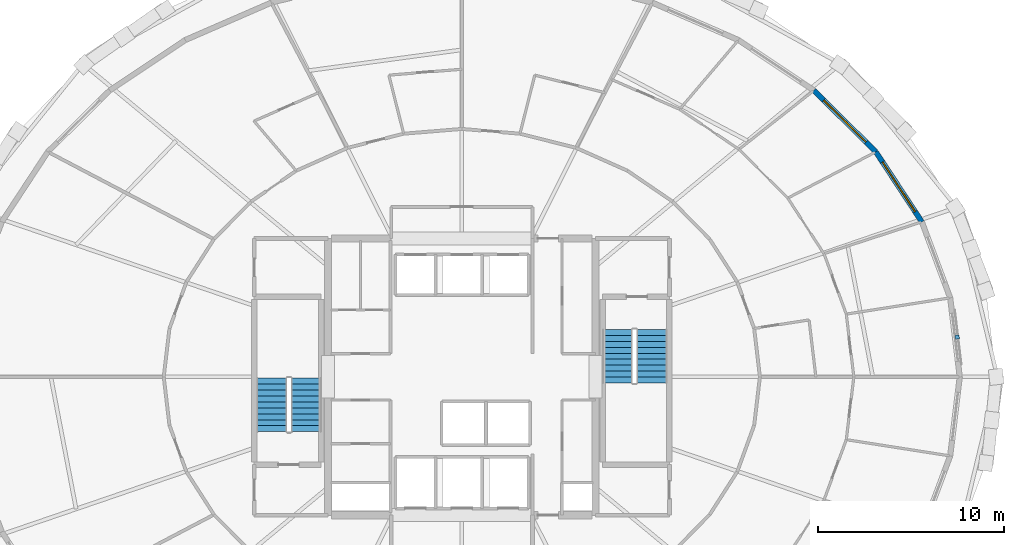
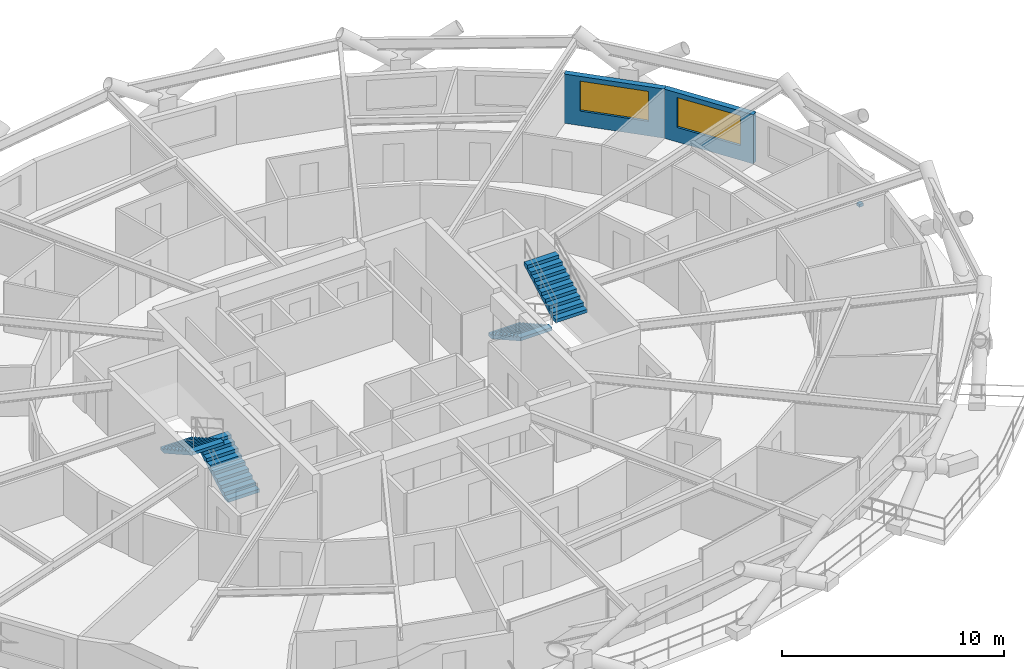
# One storey, part 12 of 14: 4 stair flights, 2 walls, 2 windows, 1 discrete accessory, 2 openings, 2 elements without a shape of their own.
"""IFC4 building model written with IfcOpenShell, lengths in metres."""

from ifc_helpers import new_model, si_unit, direction, frame, frame_2d, origin, origin_2d, place, context, subcontext, project, spatial, polyline, rectangle, outline, extrude, material, layer, layer_set, type_object, element, fill, aggregate, save


model = new_model("IFC4")

# Units and contexts
model_context = context("Model", 3, precision=1e-05, world=origin(), true_north=direction((0.0, 1.0)))
body_context = subcontext(model_context, "Body", "Model", "MODEL_VIEW")
ifc_project = project(units=[si_unit("LENGTHUNIT", "METRE"), si_unit("AREAUNIT", "SQUARE_METRE"), si_unit("VOLUMEUNIT", "CUBIC_METRE"), si_unit("PLANEANGLEUNIT", "RADIAN"), si_unit("MASSUNIT", "GRAM", prefix="KILO")], contexts=[model_context])

# Site, building, storey
site_placement = place(None, origin())
site = spatial("IfcSite", under=ifc_project, at=site_placement, CompositionType="ELEMENT")
building_placement = place(site_placement, origin())
building = spatial("IfcBuilding", under=site, at=building_placement, Name="Veldorina Hangang Commons", CompositionType="ELEMENT")
storey_placement = place(building_placement, frame((0.0, 0.0, 62.800048828125)))
storey = spatial("IfcBuildingStorey", under=building, at=storey_placement, Name="L15", CompositionType="ELEMENT", Elevation=62.800048828125)

# Wall, opening, window
ifc_material_1 = material(Name="Stone Roman Travertine", Category="masonry")
ifc_layer = layer(ifc_material_1, 0.280029296875)
ifc_layer_set = layer_set([ifc_layer], Name="Stone Roman Travertine")
wall_type = type_object("IfcWallType", Name="EW-TRAV-280", PredefinedType="STANDARD", material=ifc_layer_set)
wall_1_placement = place(storey_placement, frame((56.769287109375, 32.346435546875, 0.0), z_axis=(0.0, 0.0, 1.0), x_axis=(-0.54914333256, 0.835728185659, 0.0)))
wall_1 = element("IfcWall", 1, at=wall_1_placement, inside=storey, type_object=wall_type, Name="L15 travertine facade wall 02", PredefinedType="STANDARD", context=body_context, shape_type="SweptSolid", body=[
    extrude(rectangle(XDim=4.51171875, YDim=0.280029296875, at=frame_2d((2.255859375, 0.0))), origin(), (0.0, 0.0, 1.0), 2.7099609375),
])
opening_1_placement = place(wall_1_placement, frame((0.65576171875, 0.0, 0.800048828125)))
opening_1 = element("IfcOpeningElement", 2, at=opening_1_placement, cuts=wall_1, Name="Opening W-01", PredefinedType="OPENING", context=body_context, shape_type="SweptSolid", body=[
    extrude(rectangle(XDim=3.199951171875, YDim=1.64990234375, at=frame_2d((1.60009765625, 0.824951171875))), frame((0.0, 0.14990234375, 0.0), z_axis=(0.0, -1.0, 0.0), x_axis=(1.0, 0.0, 0.0)), (0.0, 0.0, 1.0), 0.300048828125),
])
ifc_material_2 = material(Name="Glass Low-E Triple IGU", Category="glass")
window_type = type_object("IfcWindowType", Name="WIN-TWR-3200", PartitioningType="SINGLE_PANEL", PredefinedType="WINDOW", material=ifc_material_2)
window_1_placement = place(opening_1_placement, origin())
window_1 = element("IfcWindow", 3, at=window_1_placement, inside=storey, type_object=window_type, Name="L15 facade window 02", OverallHeight=1.64990234375, OverallWidth=3.199951171875, PartitioningType="SINGLE_PANEL", PredefinedType="WINDOW", context=body_context, shape_type="SweptSolid", body=[
    extrude(rectangle(XDim=3.199951171875, YDim=1.64990234375, at=frame_2d((1.60009765625, 0.824951171875))), frame((0.0, 0.030029296875, 0.0), z_axis=(0.0, -1.0, 0.0), x_axis=(1.0, 0.0, 0.0)), (0.0, 0.0, 1.0), 0.06005859375),
])
fill(opening_1, window_1)

wall_2_placement = place(storey_placement, frame((54.291748046875, 36.116943359375, 0.0), z_axis=(0.0, 0.0, 1.0), x_axis=(-0.710194142887, 0.704005880238, 0.0)))
wall_2 = element("IfcWall", 4, at=wall_2_placement, inside=storey, type_object=wall_type, Name="L15 travertine facade wall 03", PredefinedType="STANDARD", context=body_context, shape_type="SweptSolid", body=[
    extrude(rectangle(XDim=4.69482421875, YDim=0.280029296875, at=frame_2d((2.347412109375, 0.0))), origin(), (0.0, 0.0, 1.0), 2.7099609375),
])
opening_2_placement = place(wall_2_placement, frame((0.747314453125, 0.0, 0.800048828125)))
opening_2 = element("IfcOpeningElement", 5, at=opening_2_placement, cuts=wall_2, Name="Opening W-01", PredefinedType="OPENING", context=body_context, shape_type="SweptSolid", body=[
    extrude(rectangle(XDim=3.199951171875, YDim=1.64990234375, at=frame_2d((1.60009765625, 0.824951171875))), frame((0.0, 0.14990234375, 0.0), z_axis=(0.0, -1.0, 0.0), x_axis=(1.0, 0.0, 0.0)), (0.0, 0.0, 1.0), 0.300048828125),
])
window_2_placement = place(opening_2_placement, origin())
window_2 = element("IfcWindow", 6, at=window_2_placement, inside=storey, type_object=window_type, Name="L15 facade window 03", OverallHeight=1.64990234375, OverallWidth=3.199951171875, PartitioningType="SINGLE_PANEL", PredefinedType="WINDOW", context=body_context, shape_type="SweptSolid", body=[
    extrude(rectangle(XDim=3.199951171875, YDim=1.64990234375, at=frame_2d((1.60009765625, 0.824951171875))), frame((0.0, 0.030029296875, 0.0), z_axis=(0.0, -1.0, 0.0), x_axis=(1.0, 0.0, 0.0)), (0.0, 0.0, 1.0), 0.06005859375),
])
fill(opening_2, window_2)

# Stair, stair flights
ifc_material_3 = material(Name="Concrete C40/50", Category="concrete")
stair_type = type_object("IfcStairType", Name="STR-DOG-1650-20R", PredefinedType="HALF_TURN_STAIR", material=ifc_material_3)
stair_1_placement = place(storey_placement, origin())
stair_1 = element("IfcStair", 7, at=stair_1_placement, inside=storey, type_object=stair_type, Name="L15 Exit stair ST-1", PredefinedType="HALF_TURN_STAIR")
stair_flight_type = type_object("IfcStairFlightType", Name="SFL-STR-1650-20R", PredefinedType="STRAIGHT", material=ifc_material_3)
stair_flight_1_placement = place(storey_placement, frame((23.625, 21.050048828125, 0.0), z_axis=(0.0, 0.0, 1.0), x_axis=(0.0, 1.0, 0.0)))
stair_flight_1 = element("IfcStairFlight", 8, at=stair_flight_1_placement, type_object=stair_flight_type, Name="ST-1 flight 1", NumberOfRisers=10, NumberOfTreads=9, PredefinedType="STRAIGHT", RiserHeight=0.18, TreadLength=0.32, context=body_context, shape_type="SweptSolid", body=[
    extrude(outline(polyline([(0.0, 0.0), (0.0, 0.179931640625), (0.320068359375, 0.179931640625), (0.320068359375, 0.360107421875), (0.639892578125, 0.360107421875), (0.639892578125, 0.5400390625), (0.9599609375, 0.5400390625), (0.9599609375, 0.719970703125), (1.280029296875, 0.719970703125), (1.280029296875, 0.89990234375), (1.60009765625, 0.89990234375), (1.60009765625, 1.080078125), (1.919921875, 1.080078125), (1.919921875, 1.260009765625), (2.239990234375, 1.260009765625), (2.239990234375, 1.43994140625), (2.56005859375, 1.43994140625), (2.56005859375, 1.6201171875), (2.8798828125, 1.6201171875), (2.8798828125, 1.800048828125), (2.8798828125, 1.447998046875), (0.3056640625, 0.0), (0.0, 0.0)])), frame((0.0, 0.824951171875, 0.0), z_axis=(0.0, -1.0, 0.0), x_axis=(1.0, 0.0, 0.0)), (0.0, 0.0, 1.0), 1.64990234375),
])
stair_flight_2_placement = place(storey_placement, frame((21.77490234375, 23.929931640625, 1.800048828125), z_axis=(0.0, 0.0, 1.0), x_axis=(0.0, -1.0, 0.0)))
stair_flight_2 = element("IfcStairFlight", 9, at=stair_flight_2_placement, type_object=stair_flight_type, Name="ST-1 flight 2", NumberOfRisers=10, NumberOfTreads=9, PredefinedType="STRAIGHT", RiserHeight=0.18, TreadLength=0.32, context=body_context, shape_type="SweptSolid", body=[
    extrude(outline(polyline([(0.0, 0.0), (0.0, 0.179931640625), (0.320068359375, 0.179931640625), (0.320068359375, 0.360107421875), (0.639892578125, 0.360107421875), (0.639892578125, 0.5400390625), (0.9599609375, 0.5400390625), (0.9599609375, 0.719970703125), (1.280029296875, 0.719970703125), (1.280029296875, 0.89990234375), (1.60009765625, 0.89990234375), (1.60009765625, 1.080078125), (1.919921875, 1.080078125), (1.919921875, 1.260009765625), (2.239990234375, 1.260009765625), (2.239990234375, 1.43994140625), (2.56005859375, 1.43994140625), (2.56005859375, 1.6201171875), (2.8798828125, 1.6201171875), (2.8798828125, 1.800048828125), (2.8798828125, 1.447998046875), (0.3056640625, 0.0), (0.0, 0.0)])), frame((0.0, 0.824951171875, 0.0), z_axis=(0.0, -1.0, 0.0), x_axis=(1.0, 0.0, 0.0)), (0.0, 0.0, 1.0), 1.64990234375),
])
aggregate(stair_1, [stair_flight_1, stair_flight_2])

stair_2_placement = place(storey_placement, origin())
stair_2 = element("IfcStair", 10, at=stair_2_placement, inside=storey, type_object=stair_type, Name="L15 Exit stair ST-2", PredefinedType="HALF_TURN_STAIR")
stair_flight_3_placement = place(storey_placement, frame((40.375, 26.550048828125, 0.0), z_axis=(0.0, 0.0, 1.0), x_axis=(0.0, -1.0, 0.0)))
stair_flight_3 = element("IfcStairFlight", 11, at=stair_flight_3_placement, type_object=stair_flight_type, Name="ST-2 flight 1", NumberOfRisers=10, NumberOfTreads=9, PredefinedType="STRAIGHT", RiserHeight=0.18, TreadLength=0.32, context=body_context, shape_type="SweptSolid", body=[
    extrude(outline(polyline([(0.0, 0.0), (0.0, 0.179931640625), (0.320068359375, 0.179931640625), (0.320068359375, 0.360107421875), (0.639892578125, 0.360107421875), (0.639892578125, 0.5400390625), (0.9599609375, 0.5400390625), (0.9599609375, 0.719970703125), (1.280029296875, 0.719970703125), (1.280029296875, 0.89990234375), (1.60009765625, 0.89990234375), (1.60009765625, 1.080078125), (1.919921875, 1.080078125), (1.919921875, 1.260009765625), (2.239990234375, 1.260009765625), (2.239990234375, 1.43994140625), (2.56005859375, 1.43994140625), (2.56005859375, 1.6201171875), (2.8798828125, 1.6201171875), (2.8798828125, 1.800048828125), (2.8798828125, 1.447998046875), (0.3056640625, 0.0), (0.0, 0.0)])), frame((0.0, 0.824951171875, 0.0), z_axis=(0.0, -1.0, 0.0), x_axis=(1.0, 0.0, 0.0)), (0.0, 0.0, 1.0), 1.64990234375),
])
stair_flight_4_placement = place(storey_placement, frame((42.22509765625, 23.669921875, 1.800048828125), z_axis=(0.0, 0.0, 1.0), x_axis=(0.0, 1.0, 0.0)))
stair_flight_4 = element("IfcStairFlight", 12, at=stair_flight_4_placement, type_object=stair_flight_type, Name="ST-2 flight 2", NumberOfRisers=10, NumberOfTreads=9, PredefinedType="STRAIGHT", RiserHeight=0.18, TreadLength=0.32, context=body_context, shape_type="SweptSolid", body=[
    extrude(outline(polyline([(0.0, 0.0), (0.0, 0.179931640625), (0.320068359375, 0.179931640625), (0.320068359375, 0.360107421875), (0.639892578125, 0.360107421875), (0.639892578125, 0.5400390625), (0.9599609375, 0.5400390625), (0.9599609375, 0.719970703125), (1.280029296875, 0.719970703125), (1.280029296875, 0.89990234375), (1.60009765625, 0.89990234375), (1.60009765625, 1.080078125), (1.919921875, 1.080078125), (1.919921875, 1.260009765625), (2.239990234375, 1.260009765625), (2.239990234375, 1.43994140625), (2.56005859375, 1.43994140625), (2.56005859375, 1.6201171875), (2.8798828125, 1.6201171875), (2.8798828125, 1.800048828125), (2.8798828125, 1.447998046875), (0.3056640625, 0.0), (0.0, 0.0)])), frame((0.0, 0.824951171875, 0.0), z_axis=(0.0, -1.0, 0.0), x_axis=(1.0, 0.0, 0.0)), (0.0, 0.0, 1.0), 1.64990234375),
])
aggregate(stair_2, [stair_flight_3, stair_flight_4])

# Discrete accessory
ifc_material_4 = material(Name="Stainless Steel Brushed 316", Category="steel")
discrete_accessory_type = type_object("IfcDiscreteAccessoryType", Name="BRK-SCR-SS", PredefinedType="BRACKET", material=ifc_material_4)
discrete_accessory_placement = place(storey_placement, frame((58.671630859375, 26.141845703125, 0.72021484375), z_axis=(0.0, 0.0, 1.0), x_axis=(-0.120188819323, 0.992751050218, 0.0)))
element("IfcDiscreteAccessory", 13, at=discrete_accessory_placement, inside=storey, type_object=discrete_accessory_type, Name="L15 solar screen support bracket 00", PredefinedType="BRACKET", context=body_context, shape_type="SweptSolid", body=[
    extrude(rectangle(XDim=0.219970703125, YDim=0.219970703125, at=origin_2d()), origin(), (0.0, 0.0, 1.0), 0.159912109375),
])

save(model, "model.ifc")
